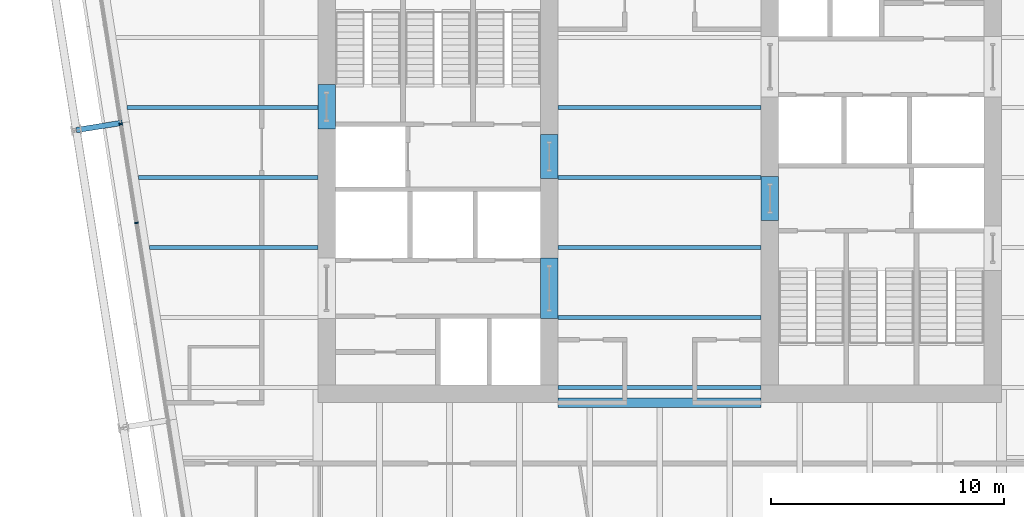
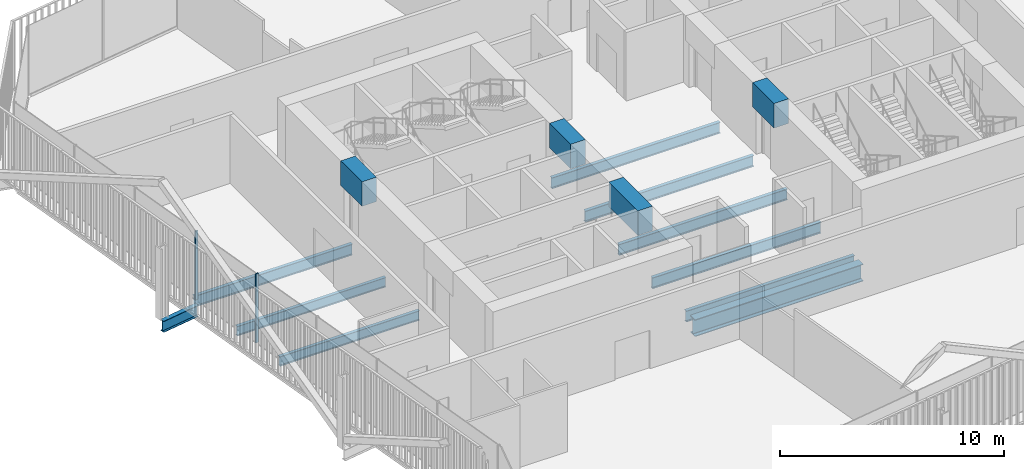
# One storey, part 6 of 22: 14 beams, 2 members, 1 element without a shape of its own.
"""IFC4 building model written with IfcOpenShell, lengths in metres."""

from ifc_helpers import new_model, si_unit, direction, frame, origin, origin_2d, place, context, subcontext, project, spatial, rectangle, i_section, extrude, material, layer, layer_set, material_profile, profile_set, type_object, element, aggregate, save


model = new_model("IFC4")

# Units and contexts
model_context = context("Model", 3, precision=1e-05, world=origin(), true_north=direction((0.0, 1.0)))
body_context = subcontext(model_context, "Body", "Model", "MODEL_VIEW")
ifc_project = project(units=[si_unit("LENGTHUNIT", "METRE"), si_unit("AREAUNIT", "SQUARE_METRE"), si_unit("VOLUMEUNIT", "CUBIC_METRE"), si_unit("PLANEANGLEUNIT", "RADIAN"), si_unit("MASSUNIT", "GRAM", prefix="KILO")], contexts=[model_context])

# Site, building, storey
site_placement = place(None, origin())
site = spatial("IfcSite", under=ifc_project, at=site_placement, CompositionType="ELEMENT")
building_placement = place(site_placement, origin())
building = spatial("IfcBuilding", under=site, at=building_placement, Name="Millrace Tower", CompositionType="ELEMENT")
storey_placement = place(building_placement, frame((0.0, 0.0, 152.89990234375)))
storey = spatial("IfcBuildingStorey", under=building, at=storey_placement, Name="L34", CompositionType="ELEMENT", Elevation=152.89990234375)

# Curtain wall, members
ifc_material_1 = material(Name="Aluminium and glass", Category="aluminium")
ifc_layer = layer(ifc_material_1, 0.14990234375)
ifc_layer_set = layer_set([ifc_layer], Name="Aluminium and glass")
curtain_wall_type = type_object("IfcCurtainWallType", Name="CW-1 office vision curtain wall", PredefinedType="NOTDEFINED", material=ifc_layer_set)
curtain_wall_placement = place(storey_placement, origin())
curtain_wall = element("IfcCurtainWall", 1, at=curtain_wall_placement, inside=storey, type_object=curtain_wall_type, Name="Curtain wall C-F08 L34", PredefinedType="NOTDEFINED")
ifc_material_2 = material(Name="Aluminium", Category="aluminium")
ifc_material_profile_1 = material_profile(ifc_material_2, rectangle(XDim=0.06494140625, YDim=0.14990234375, at=origin_2d()))
ifc_profile_set_1 = profile_set([ifc_material_profile_1], Name="Aluminium")
member_type = type_object("IfcMemberType", Name="CW-1 office vision curtain wall mullion", PredefinedType="MULLION", material=ifc_profile_set_1)
member_1_placement = place(storey_placement, frame((-23.088623046875, 2.300537109375, 0.14013671875), z_axis=(0.0, 0.0, 1.0), x_axis=(0.15643447328, -0.98768833929, 0.0)))
member_1 = element("IfcMember", 2, at=member_1_placement, type_object=member_type, Name="CW1 mullion C-F08.4", PredefinedType="MULLION", context=body_context, shape_type="SweptSolid", body=[
    extrude(rectangle(XDim=0.06494140625, YDim=0.14990234375, at=origin_2d()), origin(), (0.0, 0.0, 1.0), 3.760009765625),
])
member_2_placement = place(storey_placement, frame((-22.416015625, -1.946533203125, 0.14013671875), z_axis=(0.0, 0.0, 1.0), x_axis=(0.15643447328, -0.98768833929, 0.0)))
member_2 = element("IfcMember", 3, at=member_2_placement, type_object=member_type, Name="CW1 mullion C-F08.5", PredefinedType="MULLION", context=body_context, shape_type="SweptSolid", body=[
    extrude(rectangle(XDim=0.06494140625, YDim=0.14990234375, at=origin_2d()), origin(), (0.0, 0.0, 1.0), 3.760009765625),
])
aggregate(curtain_wall, [member_1, member_2])

# Beams
ifc_material_3 = material(Name="Concrete C70", Category="concrete")
ifc_material_profile_2 = material_profile(ifc_material_3, rectangle(XDim=0.75, YDim=1.340087890625, at=origin_2d()))
ifc_profile_set_2 = profile_set([ifc_material_profile_2], Name="Concrete C70")
beam_type_1 = type_object("IfcBeamType", Name="Coupling beam 750 x 1340 Concrete C70, 1300 opening", PredefinedType="BEAM", material=ifc_profile_set_2)
beam_1_placement = place(storey_placement, frame((-14.27490234375, 2.080078125, 3.070068359375), z_axis=(0.0, 1.0, 0.0), x_axis=(-1.0, 0.0, 0.0)))
element("IfcBeam", 4, at=beam_1_placement, inside=storey, type_object=beam_type_1, Name="Coupling beam W L34", PredefinedType="BEAM", context=body_context, shape_type="SweptSolid", body=[
    extrude(rectangle(XDim=0.75, YDim=1.340087890625, at=origin_2d()), origin(), (0.0, 0.0, 1.0), 1.89990234375),
])
for number, where, z_axis, x_axis, name in (
    (5, (-4.72509765625, -0.050048828125, 3.070068359375), (0.0, 1.0, 0.0), (-1.0, 0.0, 0.0), "Coupling beam W L34"),
    (6, (4.72509765625, 0.050048828125, 3.070068359375), (0.0, -1.0, 0.0), (1.0, 0.0, 0.0), "Coupling beam E L34"),
):
    element("IfcBeam", number, at=place(storey_placement, frame(where, z_axis=z_axis, x_axis=x_axis)), inside=storey, type_object=beam_type_1, Name=name, PredefinedType="BEAM", context=body_context, shape_type="SweptSolid", body=[
        extrude(rectangle(XDim=0.75, YDim=1.340087890625, at=origin_2d()), origin(), (0.0, 0.0, 1.0), 1.900146484375),
    ])
ifc_material_4 = material(Name="Concrete C70", Category="concrete")
ifc_material_profile_3 = material_profile(ifc_material_4, rectangle(XDim=0.75, YDim=1.340087890625, at=origin_2d()))
ifc_profile_set_3 = profile_set([ifc_material_profile_3], Name="Concrete C70")
beam_type_2 = type_object("IfcBeamType", Name="Coupling beam 750 x 1340 Concrete C70, 2000 opening", PredefinedType="BEAM", material=ifc_profile_set_3)
beam_2_placement = place(storey_placement, frame((-4.72509765625, -6.050048828125, 3.070068359375), z_axis=(0.0, 1.0, 0.0), x_axis=(-1.0, 0.0, 0.0)))
element("IfcBeam", 7, at=beam_2_placement, inside=storey, type_object=beam_type_2, Name="Coupling beam W L34", PredefinedType="BEAM", context=body_context, shape_type="SweptSolid", body=[
    extrude(rectangle(XDim=0.75, YDim=1.340087890625, at=origin_2d()), origin(), (0.0, 0.0, 1.0), 2.60009765625),
])
ifc_material_5 = material(Name="Steel ASTM A992 Grade 50", Category="steel")
ifc_material_profile_4 = material_profile(ifc_material_5, i_section(OverallWidth=0.1650390625, OverallDepth=0.52587890625, WebThickness=0.0087890625, FlangeThickness=0.011474609375, FilletRadius=0.0126953125, at=origin_2d()))
ifc_profile_set_4 = profile_set([ifc_material_profile_4], Name="Steel ASTM A992 Grade 50")
beam_type_3 = type_object("IfcBeamType", Name="Floor beam W21x44", PredefinedType="JOIST", material=ifc_profile_set_4)
beam_3_placement = place(storey_placement, frame((-21.862060546875, -3.0, -0.4228515625), z_axis=(1.0, 0.0, 0.0), x_axis=(0.0, 1.0, 0.0)))
element("IfcBeam", 8, at=beam_3_placement, inside=storey, type_object=beam_type_3, Name="BM-C-L34-S1-S017", PredefinedType="JOIST", context=body_context, shape_type="SweptSolid", body=[
    extrude(i_section(OverallWidth=0.1650390625, OverallDepth=0.52587890625, WebThickness=0.0087890625, FlangeThickness=0.011474609375, FilletRadius=0.0126953125, at=origin_2d()), origin(), (0.0, 0.0, 1.0), 7.212158203125),
])
beam_4_placement = place(storey_placement, frame((-22.337158203125, 0.0, -0.4228515625), z_axis=(1.0, 0.0, 0.0), x_axis=(0.0, 1.0, 0.0)))
element("IfcBeam", 9, at=beam_4_placement, inside=storey, type_object=beam_type_3, Name="BM-C-L34-S1-S020", PredefinedType="JOIST", context=body_context, shape_type="SweptSolid", body=[
    extrude(i_section(OverallWidth=0.1650390625, OverallDepth=0.52587890625, WebThickness=0.0087890625, FlangeThickness=0.011474609375, FilletRadius=0.0126953125, at=origin_2d()), origin(), (0.0, 0.0, 1.0), 7.687255859375),
])
ifc_material_6 = material(Name="Steel ASTM A992 Grade 50", Category="steel")
ifc_material_profile_5 = material_profile(ifc_material_6, i_section(OverallWidth=0.177978515625, OverallDepth=0.599365234375, WebThickness=0.010009765625, FlangeThickness=0.012939453125, FilletRadius=0.012939453125, at=origin_2d()))
ifc_profile_set_5 = profile_set([ifc_material_profile_5], Name="Steel ASTM A992 Grade 50")
beam_type_4 = type_object("IfcBeamType", Name="Floor beam W24x55", PredefinedType="JOIST", material=ifc_profile_set_5)
for number, where, z_axis, x_axis, name in (
    (10, (-4.35009765625, -9.0, -0.459716796875), (1.0, 0.0, 0.0), (0.0, 1.0, 0.0), "BM-C-L34-S1-S010"),
    (11, (-4.35009765625, -6.0, -0.459716796875), (1.0, 0.0, 0.0), (0.0, 1.0, 0.0), "BM-C-L34-S1-S013"),
    (12, (-4.35009765625, -3.0, -0.459716796875), (1.0, 0.0, 0.0), (0.0, 1.0, 0.0), "BM-C-L34-S1-S016"),
    (13, (-4.35009765625, 0.0, -0.459716796875), (1.0, 0.0, 0.0), (0.0, 1.0, 0.0), "BM-C-L34-S1-S019"),
    (14, (-4.35009765625, 3.0, -0.459716796875), (1.0, 0.0, 0.0), (0.0, 1.0, 0.0), "BM-C-L34-S1-S022"),
):
    element("IfcBeam", number, at=place(storey_placement, frame(where, z_axis=z_axis, x_axis=x_axis)), inside=storey, type_object=beam_type_4, Name=name, PredefinedType="JOIST", context=body_context, shape_type="SweptSolid", body=[
        extrude(i_section(OverallWidth=0.177978515625, OverallDepth=0.599365234375, WebThickness=0.010009765625, FlangeThickness=0.012939453125, FilletRadius=0.012939453125, at=origin_2d()), origin(), (0.0, 0.0, 1.0), 8.7001953125),
    ])
beam_5_placement = place(storey_placement, frame((-22.812255859375, 3.0, -0.459716796875), z_axis=(1.0, 0.0, 0.0), x_axis=(0.0, 1.0, 0.0)))
element("IfcBeam", 15, at=beam_5_placement, inside=storey, type_object=beam_type_4, Name="BM-C-L34-S1-S023", PredefinedType="JOIST", context=body_context, shape_type="SweptSolid", body=[
    extrude(i_section(OverallWidth=0.177978515625, OverallDepth=0.599365234375, WebThickness=0.010009765625, FlangeThickness=0.012939453125, FilletRadius=0.012939453125, at=origin_2d()), origin(), (0.0, 0.0, 1.0), 8.162353515625),
])
ifc_material_7 = material(Name="Steel ASTM A992 Grade 50", Category="steel")
ifc_material_profile_6 = material_profile(ifc_material_7, i_section(OverallWidth=0.419189453125, OverallDepth=0.927001953125, WebThickness=0.019287109375, FlangeThickness=0.031982421875, FilletRadius=0.024169921875, at=origin_2d()))
ifc_profile_set_6 = profile_set([ifc_material_profile_6], Name="Steel ASTM A992 Grade 50")
beam_type_5 = type_object("IfcBeamType", Name="Girder short span W36x231", PredefinedType="BEAM", material=ifc_profile_set_6)
beam_6_placement = place(storey_placement, frame((-4.35009765625, -9.64990234375, -0.62353515625), z_axis=(1.0, 0.0, 0.0), x_axis=(0.0, 1.0, 0.0)))
element("IfcBeam", 16, at=beam_6_placement, inside=storey, type_object=beam_type_5, Name="BM-C-L34-S1-G062", PredefinedType="BEAM", context=body_context, shape_type="SweptSolid", body=[
    extrude(i_section(OverallWidth=0.419189453125, OverallDepth=0.927001953125, WebThickness=0.019287109375, FlangeThickness=0.031982421875, FilletRadius=0.024169921875, at=origin_2d()), origin(), (0.0, 0.0, 1.0), 8.7001953125),
])
ifc_material_8 = material(Name="Steel ASTM A992 Grade 50", Category="steel")
ifc_material_profile_7 = material_profile(ifc_material_8, i_section(OverallWidth=0.23046875, OverallDepth=0.6171875, WebThickness=0.01318359375, FlangeThickness=0.022216796875, FilletRadius=0.012939453125, at=origin_2d()))
ifc_profile_set_7 = profile_set([ifc_material_profile_7], Name="Steel ASTM A992 Grade 50")
beam_type_6 = type_object("IfcBeamType", Name="Link beam W24x94", PredefinedType="BEAM", material=ifc_profile_set_7)
beam_7_placement = place(storey_placement, frame((-23.019775390625, 2.344482421875, -0.468505859375), z_axis=(-0.987678691416, -0.156495375404, 0.0), x_axis=(0.156495375404, -0.987678691416, 0.0)))
element("IfcBeam", 17, at=beam_7_placement, inside=storey, type_object=beam_type_6, Name="LNK-C-L34-S1-03", PredefinedType="BEAM", context=body_context, shape_type="SweptSolid", body=[
    extrude(i_section(OverallWidth=0.23046875, OverallDepth=0.6171875, WebThickness=0.01318359375, FlangeThickness=0.022216796875, FilletRadius=0.012939453125, at=origin_2d()), origin(), (0.0, 0.0, 1.0), 2.0),
])

save(model, "model.ifc")
